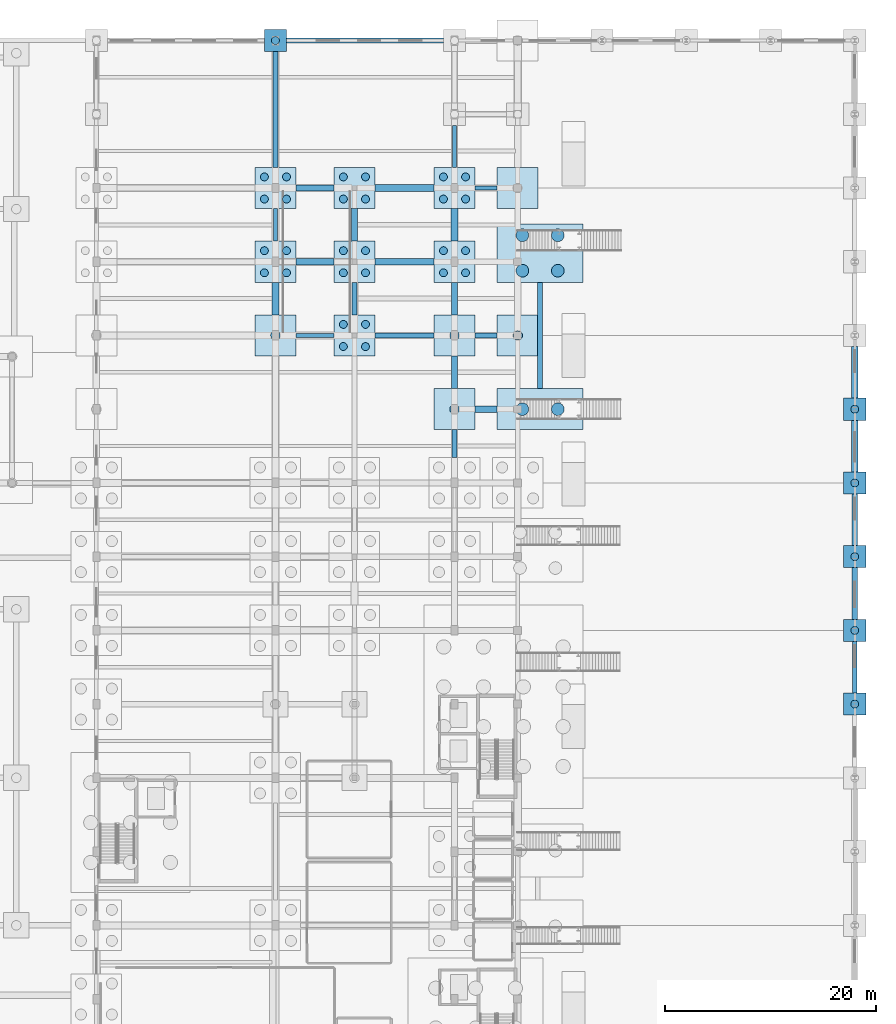
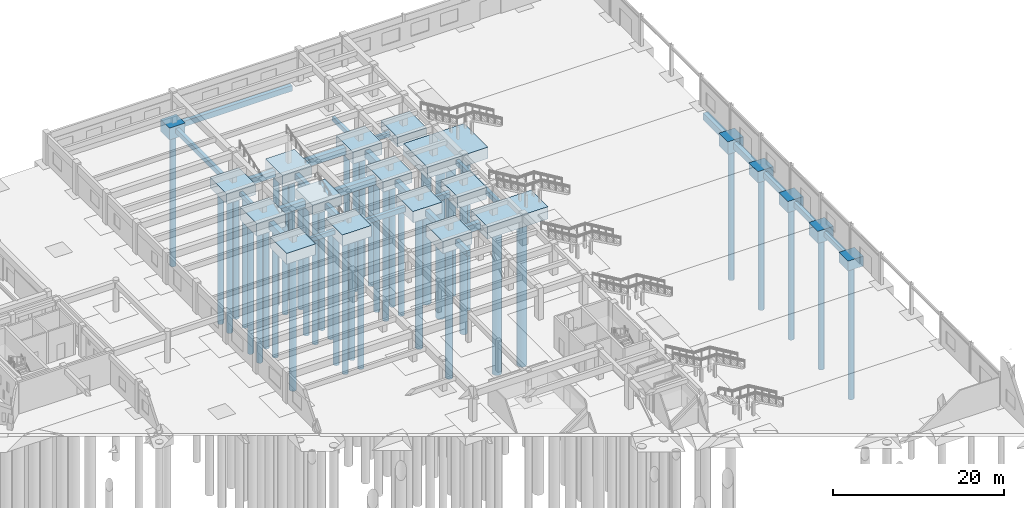
# One storey, part 11 of 84: 46 footings, 44 piles.
"""IFC4 building model written with IfcOpenShell, lengths in metres."""

from ifc_helpers import new_model, si_unit, direction, frame, origin, origin_2d, place, context, subcontext, project, spatial, rectangle, circle, extrude, material, material_profile, profile_set, type_object, element, save


model = new_model("IFC4")

# Units and contexts
model_context = context("Model", 3, precision=1e-05, world=origin(), true_north=direction((0.0, 1.0)))
body_context = subcontext(model_context, "Body", "Model", "MODEL_VIEW")
ifc_project = project(units=[si_unit("LENGTHUNIT", "METRE"), si_unit("AREAUNIT", "SQUARE_METRE"), si_unit("VOLUMEUNIT", "CUBIC_METRE"), si_unit("PLANEANGLEUNIT", "RADIAN"), si_unit("MASSUNIT", "GRAM", prefix="KILO")], contexts=[model_context])

# Site, building, storey
site_placement = place(None, origin())
site = spatial("IfcSite", under=ifc_project, at=site_placement, CompositionType="ELEMENT")
building_placement = place(site_placement, origin())
building = spatial("IfcBuilding", under=site, at=building_placement, Name="Larkveld Mobility Hub", CompositionType="ELEMENT")
storey_placement = place(building_placement, origin())
storey = spatial("IfcBuildingStorey", under=building, at=storey_placement, Name="L00", CompositionType="ELEMENT", Elevation=0.0)

# Footings
ifc_material = material(Name="Concrete C35/45", Category="concrete")
ifc_material_profile_1 = material_profile(ifc_material, rectangle(XDim=0.39990234375, YDim=0.60009765625, at=origin_2d()), Name="RC BM 400x600")
ifc_profile_set_1 = profile_set([ifc_material_profile_1], Name="Concrete C35/45")
footing_type_1 = type_object("IfcFootingType", Name="FT-FB01", PredefinedType="FOOTING_BEAM", material=ifc_profile_set_1)
footing_1_placement = place(storey_placement, frame((130.949951171875, 98.0, -0.64990234375), z_axis=(1.0, 0.0, 0.0), x_axis=(0.0, 1.0, 0.0)))
element("IfcFooting", 1, at=footing_1_placement, inside=storey, type_object=footing_type_1, Name="Ground Tie Beam GB-061", PredefinedType="FOOTING_BEAM", context=body_context, shape_type="SweptSolid", body=[
    extrude(rectangle(XDim=0.39990234375, YDim=0.60009765625, at=origin_2d()), origin(), (0.0, 0.0, 1.0), 3.60009765625),
])
footing_2_placement = place(storey_placement, frame((147.949951171875, 112.0, -0.64990234375), z_axis=(1.0, 0.0, 0.0), x_axis=(0.0, 1.0, 0.0)))
element("IfcFooting", 2, at=footing_2_placement, inside=storey, type_object=footing_type_1, Name="Ground Tie Beam GB-079", PredefinedType="FOOTING_BEAM", context=body_context, shape_type="SweptSolid", body=[
    extrude(rectangle(XDim=0.39990234375, YDim=0.60009765625, at=origin_2d()), origin(), (0.0, 0.0, 1.0), 2.10009765625),
])
footing_3_placement = place(storey_placement, frame((129.0, 106.949951171875, -0.64990234375), z_axis=(0.0, 1.0, 0.0), x_axis=(-1.0, 0.0, 0.0)))
element("IfcFooting", 3, at=footing_3_placement, inside=storey, type_object=footing_type_1, Name="Ground Tie Beam GB-163", PredefinedType="FOOTING_BEAM", context=body_context, shape_type="SweptSolid", body=[
    extrude(rectangle(XDim=0.39990234375, YDim=0.60009765625, at=origin_2d()), origin(), (0.0, 0.0, 1.0), 3.10009765625),
])
footing_4_placement = place(storey_placement, frame((146.0, 113.949951171875, -0.64990234375), z_axis=(0.0, 1.0, 0.0), x_axis=(-1.0, 0.0, 0.0)))
element("IfcFooting", 4, at=footing_4_placement, inside=storey, type_object=footing_type_1, Name="Ground Tie Beam GB-181", PredefinedType="FOOTING_BEAM", context=body_context, shape_type="SweptSolid", body=[
    extrude(rectangle(XDim=0.39990234375, YDim=0.60009765625, at=origin_2d()), origin(), (0.0, 0.0, 1.0), 4.0),
])
ifc_material_profile_2 = material_profile(ifc_material, rectangle(XDim=0.449951171875, YDim=0.699951171875, at=origin_2d()), Name="RC BM 450x700")
ifc_profile_set_2 = profile_set([ifc_material_profile_2], Name="Concrete C35/45")
footing_type_2 = type_object("IfcFootingType", Name="FT-FB02", PredefinedType="FOOTING_BEAM", material=ifc_profile_set_2)
footing_5_placement = place(storey_placement, frame((138.449951171875, 98.0, -0.699951171875), z_axis=(1.0, 0.0, 0.0), x_axis=(0.0, 1.0, 0.0)))
element("IfcFooting", 5, at=footing_5_placement, inside=storey, type_object=footing_type_2, Name="Ground Tie Beam GB-062", PredefinedType="FOOTING_BEAM", context=body_context, shape_type="SweptSolid", body=[
    extrude(rectangle(XDim=0.449951171875, YDim=0.699951171875, at=origin_2d()), origin(), (0.0, 0.0, 1.0), 5.60009765625),
])
footing_6_placement = place(storey_placement, frame((129.0, 113.949951171875, -0.699951171875), z_axis=(0.0, 1.0, 0.0), x_axis=(-1.0, 0.0, 0.0)))
element("IfcFooting", 6, at=footing_6_placement, inside=storey, type_object=footing_type_2, Name="Ground Tie Beam GB-164", PredefinedType="FOOTING_BEAM", context=body_context, shape_type="SweptSolid", body=[
    extrude(rectangle(XDim=0.449951171875, YDim=0.699951171875, at=origin_2d()), origin(), (0.0, 0.0, 1.0), 11.0),
])
footing_7_placement = place(storey_placement, frame((154.125, 92.949951171875, -0.699951171875), z_axis=(0.0, 1.0, 0.0), x_axis=(-1.0, 0.0, 0.0)))
element("IfcFooting", 7, at=footing_7_placement, inside=storey, type_object=footing_type_2, Name="Ground Tie Beam GB-188", PredefinedType="FOOTING_BEAM", context=body_context, shape_type="SweptSolid", body=[
    extrude(rectangle(XDim=0.449951171875, YDim=0.699951171875, at=origin_2d()), origin(), (0.0, 0.0, 1.0), 10.10009765625),
])
footing_8_placement = place(storey_placement, frame((184.0, 64.050048828125, -0.699951171875), z_axis=(0.0, 1.0, 0.0), x_axis=(-1.0, 0.0, 0.0)))
element("IfcFooting", 8, at=footing_8_placement, inside=storey, type_object=footing_type_2, Name="Ground Tie Beam GB-200", PredefinedType="FOOTING_BEAM", context=body_context, shape_type="SweptSolid", body=[
    extrude(rectangle(XDim=0.449951171875, YDim=0.699951171875, at=origin_2d()), origin(), (0.0, 0.0, 1.0), 4.89990234375),
])
ifc_material_profile_3 = material_profile(ifc_material, rectangle(XDim=0.5, YDim=0.800048828125, at=origin_2d()), Name="RC BM 500x800")
ifc_profile_set_3 = profile_set([ifc_material_profile_3], Name="Concrete C35/45")
footing_type_3 = type_object("IfcFootingType", Name="FT-FB03", PredefinedType="FOOTING_BEAM", material=ifc_profile_set_3)
footing_9_placement = place(storey_placement, frame((147.949951171875, 98.0, -0.75), z_axis=(1.0, 0.0, 0.0), x_axis=(0.0, 1.0, 0.0)))
element("IfcFooting", 9, at=footing_9_placement, inside=storey, type_object=footing_type_3, Name="Ground Tie Beam GB-063", PredefinedType="FOOTING_BEAM", context=body_context, shape_type="SweptSolid", body=[
    extrude(rectangle(XDim=0.5, YDim=0.800048828125, at=origin_2d()), origin(), (0.0, 0.0, 1.0), 2.10009765625),
])
footing_10_placement = place(storey_placement, frame((130.050048828125, 126.0, -0.75), z_axis=(1.0, 0.0, 0.0), x_axis=(0.0, 1.0, 0.0)))
element("IfcFooting", 10, at=footing_10_placement, inside=storey, type_object=footing_type_3, Name="Ground Tie Beam GB-093", PredefinedType="FOOTING_BEAM", context=body_context, shape_type="SweptSolid", body=[
    extrude(rectangle(XDim=0.5, YDim=0.800048828125, at=origin_2d()), origin(), (0.0, 0.0, 1.0), 14.89990234375),
])
footing_11_placement = place(storey_placement, frame((136.5, 99.949951171875, -0.75), z_axis=(0.0, 1.0, 0.0), x_axis=(-1.0, 0.0, 0.0)))
element("IfcFooting", 11, at=footing_11_placement, inside=storey, type_object=footing_type_3, Name="Ground Tie Beam GB-171", PredefinedType="FOOTING_BEAM", context=body_context, shape_type="SweptSolid", body=[
    extrude(rectangle(XDim=0.5, YDim=0.800048828125, at=origin_2d()), origin(), (0.0, 0.0, 1.0), 3.10009765625),
])
footing_12_placement = place(storey_placement, frame((146.0, 86.39990234375, -0.75), z_axis=(0.0, 1.0, 0.0), x_axis=(-1.0, 0.0, 0.0)))
element("IfcFooting", 12, at=footing_12_placement, inside=storey, type_object=footing_type_3, Name="Ground Tie Beam GB-177", PredefinedType="FOOTING_BEAM", context=body_context, shape_type="SweptSolid", body=[
    extrude(rectangle(XDim=0.5, YDim=0.800048828125, at=origin_2d()), origin(), (0.0, 0.0, 1.0), 2.650146484375),
])
footing_13_placement = place(storey_placement, frame((184.0, 71.050048828125, -0.75), z_axis=(0.0, 1.0, 0.0), x_axis=(-1.0, 0.0, 0.0)))
element("IfcFooting", 13, at=footing_13_placement, inside=storey, type_object=footing_type_3, Name="Ground Tie Beam GB-201", PredefinedType="FOOTING_BEAM", context=body_context, shape_type="SweptSolid", body=[
    extrude(rectangle(XDim=0.5, YDim=0.800048828125, at=origin_2d()), origin(), (0.0, 0.0, 1.0), 4.89990234375),
])
ifc_material_profile_4 = material_profile(ifc_material, rectangle(XDim=0.550048828125, YDim=0.85009765625, at=origin_2d()), Name="RC BM 550x850")
ifc_profile_set_4 = profile_set([ifc_material_profile_4], Name="Concrete C35/45")
footing_type_4 = type_object("IfcFootingType", Name="FT-FB04", PredefinedType="FOOTING_BEAM", material=ifc_profile_set_4)
for number, where, z_axis, x_axis, name in (
    (14, (136.5, 106.949951171875, -0.77490234375), (0.0, 1.0, 0.0), (-1.0, 0.0, 0.0), "Ground Tie Beam GB-172"),
    (15, (146.0, 92.949951171875, -0.77490234375), (0.0, 1.0, 0.0), (-1.0, 0.0, 0.0), "Ground Tie Beam GB-178"),
):
    element("IfcFooting", number, at=place(storey_placement, frame(where, z_axis=z_axis, x_axis=x_axis)), inside=storey, type_object=footing_type_4, Name=name, PredefinedType="FOOTING_BEAM", context=body_context, shape_type="SweptSolid", body=[
        extrude(rectangle(XDim=0.550048828125, YDim=0.85009765625, at=origin_2d()), origin(), (0.0, 0.0, 1.0), 3.10009765625),
    ])
footing_14_placement = place(storey_placement, frame((184.0, 78.050048828125, -0.77490234375), z_axis=(0.0, 1.0, 0.0), x_axis=(-1.0, 0.0, 0.0)))
element("IfcFooting", 16, at=footing_14_placement, inside=storey, type_object=footing_type_4, Name="Ground Tie Beam GB-202", PredefinedType="FOOTING_BEAM", context=body_context, shape_type="SweptSolid", body=[
    extrude(rectangle(XDim=0.550048828125, YDim=0.85009765625, at=origin_2d()), origin(), (0.0, 0.0, 1.0), 4.89990234375),
])
ifc_material_profile_5 = material_profile(ifc_material, rectangle(XDim=0.60009765625, YDim=0.89990234375, at=origin_2d()), Name="RC BM 600x900")
ifc_profile_set_5 = profile_set([ifc_material_profile_5], Name="Concrete C35/45")
footing_type_5 = type_object("IfcFootingType", Name="FT-FB05", PredefinedType="FOOTING_BEAM", material=ifc_profile_set_5)
for number, where, z_axis, x_axis, name in (
    (17, (130.949951171875, 105.0, -0.800048828125), (1.0, 0.0, 0.0), (0.0, 1.0, 0.0), "Ground Tie Beam GB-065"),
    (18, (130.949951171875, 112.0, -0.800048828125), (1.0, 0.0, 0.0), (0.0, 1.0, 0.0), "Ground Tie Beam GB-077"),
):
    element("IfcFooting", number, at=place(storey_placement, frame(where, z_axis=z_axis, x_axis=x_axis)), inside=storey, type_object=footing_type_5, Name=name, PredefinedType="FOOTING_BEAM", context=body_context, shape_type="SweptSolid", body=[
        extrude(rectangle(XDim=0.60009765625, YDim=0.89990234375, at=origin_2d()), origin(), (0.0, 0.0, 1.0), 3.60009765625),
    ])
footing_15_placement = place(storey_placement, frame((146.0, 99.949951171875, -0.800048828125), z_axis=(0.0, 1.0, 0.0), x_axis=(-1.0, 0.0, 0.0)))
element("IfcFooting", 19, at=footing_15_placement, inside=storey, type_object=footing_type_5, Name="Ground Tie Beam GB-179", PredefinedType="FOOTING_BEAM", context=body_context, shape_type="SweptSolid", body=[
    extrude(rectangle(XDim=0.60009765625, YDim=0.89990234375, at=origin_2d()), origin(), (0.0, 0.0, 1.0), 3.10009765625),
])
footing_16_placement = place(storey_placement, frame((184.0, 85.050048828125, -0.800048828125), z_axis=(0.0, 1.0, 0.0), x_axis=(-1.0, 0.0, 0.0)))
element("IfcFooting", 20, at=footing_16_placement, inside=storey, type_object=footing_type_5, Name="Ground Tie Beam GB-203", PredefinedType="FOOTING_BEAM", context=body_context, shape_type="SweptSolid", body=[
    extrude(rectangle(XDim=0.60009765625, YDim=0.89990234375, at=origin_2d()), origin(), (0.0, 0.0, 1.0), 4.89990234375),
])
ifc_material_profile_6 = material_profile(ifc_material, rectangle(XDim=0.64990234375, YDim=1.0, at=origin_2d()), Name="RC BM 650x1000")
ifc_profile_set_6 = profile_set([ifc_material_profile_6], Name="Concrete C35/45")
footing_type_6 = type_object("IfcFootingType", Name="FT-FB06", PredefinedType="FOOTING_BEAM", material=ifc_profile_set_6)
footing_17_placement = place(storey_placement, frame((147.949951171875, 91.0, -0.85009765625), z_axis=(1.0, 0.0, 0.0), x_axis=(0.0, 1.0, 0.0)))
element("IfcFooting", 21, at=footing_17_placement, inside=storey, type_object=footing_type_6, Name="Ground Tie Beam GB-054", PredefinedType="FOOTING_BEAM", context=body_context, shape_type="SweptSolid", body=[
    extrude(rectangle(XDim=0.64990234375, YDim=1.0, at=origin_2d()), origin(), (0.0, 0.0, 1.0), 2.10009765625),
])
for number, where, z_axis, x_axis, name in (
    (22, (138.449951171875, 105.0, -0.85009765625), (1.0, 0.0, 0.0), (0.0, 1.0, 0.0), "Ground Tie Beam GB-066"),
    (23, (138.449951171875, 112.0, -0.85009765625), (1.0, 0.0, 0.0), (0.0, 1.0, 0.0), "Ground Tie Beam GB-078"),
):
    element("IfcFooting", number, at=place(storey_placement, frame(where, z_axis=z_axis, x_axis=x_axis)), inside=storey, type_object=footing_type_6, Name=name, PredefinedType="FOOTING_BEAM", context=body_context, shape_type="SweptSolid", body=[
        extrude(rectangle(XDim=0.64990234375, YDim=1.0, at=origin_2d()), origin(), (0.0, 0.0, 1.0), 5.60009765625),
    ])
for number, where, z_axis, x_axis, name in (
    (24, (129.0, 99.949951171875, -0.85009765625), (0.0, 1.0, 0.0), (-1.0, 0.0, 0.0), "Ground Tie Beam GB-162"),
    (25, (146.0, 106.949951171875, -0.85009765625), (0.0, 1.0, 0.0), (-1.0, 0.0, 0.0), "Ground Tie Beam GB-180"),
):
    element("IfcFooting", number, at=place(storey_placement, frame(where, z_axis=z_axis, x_axis=x_axis)), inside=storey, type_object=footing_type_6, Name=name, PredefinedType="FOOTING_BEAM", context=body_context, shape_type="SweptSolid", body=[
        extrude(rectangle(XDim=0.64990234375, YDim=1.0, at=origin_2d()), origin(), (0.0, 0.0, 1.0), 3.10009765625),
    ])
footing_18_placement = place(storey_placement, frame((184.0, 92.050048828125, -0.85009765625), z_axis=(0.0, 1.0, 0.0), x_axis=(-1.0, 0.0, 0.0)))
element("IfcFooting", 26, at=footing_18_placement, inside=storey, type_object=footing_type_6, Name="Ground Tie Beam GB-204", PredefinedType="FOOTING_BEAM", context=body_context, shape_type="SweptSolid", body=[
    extrude(rectangle(XDim=0.64990234375, YDim=1.0, at=origin_2d()), origin(), (0.0, 0.0, 1.0), 4.89990234375),
])
footing_type_7 = type_object("IfcFootingType", Name="FT-PC01", PredefinedType="PILE_CAP", material=ifc_material)
footing_19_placement = place(storey_placement, frame((152.0, 112.0, -1.39990234375), z_axis=(0.0, 0.0, 1.0), x_axis=(1.0, 0.0, 0.0)))
element("IfcFooting", 27, at=footing_19_placement, inside=storey, type_object=footing_type_7, Name="Pile Cap PC-193", PredefinedType="PILE_CAP", context=body_context, shape_type="SweptSolid", body=[
    extrude(rectangle(XDim=3.89990234375, YDim=3.89990234375, at=origin_2d()), origin(), (0.0, 0.0, 1.0), 1.39990234375),
])
footing_type_8 = type_object("IfcFootingType", Name="FT-PC04", PredefinedType="PILE_CAP", material=ifc_material)
footing_20_placement = place(storey_placement, frame((129.0, 98.0, -1.5498046875), z_axis=(0.0, 0.0, 1.0), x_axis=(1.0, 0.0, 0.0)))
element("IfcFooting", 28, at=footing_20_placement, inside=storey, type_object=footing_type_8, Name="Pile Cap PC-164", PredefinedType="PILE_CAP", context=body_context, shape_type="SweptSolid", body=[
    extrude(rectangle(XDim=3.89990234375, YDim=3.89990234375, at=origin_2d()), origin(), (0.0, 0.0, 1.0), 1.550048828125),
])
footing_type_9 = type_object("IfcFootingType", Name="FT-PC05", PredefinedType="PILE_CAP", material=ifc_material)
footing_21_placement = place(storey_placement, frame((184.0, 84.0, -1.60009765625), z_axis=(0.0, 0.0, 1.0), x_axis=(1.0, 0.0, 0.0)))
element("IfcFooting", 29, at=footing_21_placement, inside=storey, type_object=footing_type_9, Name="Pile Cap PC-149", PredefinedType="PILE_CAP", context=body_context, shape_type="SweptSolid", body=[
    extrude(rectangle(XDim=2.10009765625, YDim=2.10009765625, at=origin_2d()), origin(), (0.0, 0.0, 1.0), 1.60009765625),
])
footing_22_placement = place(storey_placement, frame((136.5, 98.0, -1.60009765625), z_axis=(0.0, 0.0, 1.0), x_axis=(1.0, 0.0, 0.0)))
element("IfcFooting", 30, at=footing_22_placement, inside=storey, type_object=footing_type_9, Name="Pile Cap PC-165", PredefinedType="PILE_CAP", context=body_context, shape_type="SweptSolid", body=[
    extrude(rectangle(XDim=3.89990234375, YDim=3.89990234375, at=origin_2d()), origin(), (0.0, 0.0, 1.0), 1.60009765625),
])
footing_type_10 = type_object("IfcFootingType", Name="FT-PC06", PredefinedType="PILE_CAP", material=ifc_material)
footing_23_placement = place(storey_placement, frame((184.0, 77.0, -1.60009765625), z_axis=(0.0, 0.0, 1.0), x_axis=(1.0, 0.0, 0.0)))
element("IfcFooting", 31, at=footing_23_placement, inside=storey, type_object=footing_type_10, Name="Pile Cap PC-134", PredefinedType="PILE_CAP", context=body_context, shape_type="SweptSolid", body=[
    extrude(rectangle(XDim=2.10009765625, YDim=2.10009765625, at=origin_2d()), origin(), (0.0, 0.0, 1.0), 1.60009765625),
])
footing_24_placement = place(storey_placement, frame((146.0, 98.0, -1.60009765625), z_axis=(0.0, 0.0, 1.0), x_axis=(1.0, 0.0, 0.0)))
element("IfcFooting", 32, at=footing_24_placement, inside=storey, type_object=footing_type_10, Name="Pile Cap PC-166", PredefinedType="PILE_CAP", context=body_context, shape_type="SweptSolid", body=[
    extrude(rectangle(XDim=3.89990234375, YDim=3.89990234375, at=origin_2d()), origin(), (0.0, 0.0, 1.0), 1.60009765625),
])
footing_type_11 = type_object("IfcFootingType", Name="FT-PC07", PredefinedType="PILE_CAP", material=ifc_material)
footing_25_placement = place(storey_placement, frame((152.0, 98.0, -1.64990234375), z_axis=(0.0, 0.0, 1.0), x_axis=(1.0, 0.0, 0.0)))
element("IfcFooting", 33, at=footing_25_placement, inside=storey, type_object=footing_type_11, Name="Pile Cap PC-167", PredefinedType="PILE_CAP", context=body_context, shape_type="SweptSolid", body=[
    extrude(rectangle(XDim=3.89990234375, YDim=3.89990234375, at=origin_2d()), origin(), (0.0, 0.0, 1.0), 1.64990234375),
])
footing_type_12 = type_object("IfcFootingType", Name="FT-PC08", PredefinedType="PILE_CAP", material=ifc_material)
footing_26_placement = place(storey_placement, frame((129.0, 126.0, -1.7001953125), z_axis=(0.0, 0.0, 1.0), x_axis=(1.0, 0.0, 0.0)))
element("IfcFooting", 34, at=footing_26_placement, inside=storey, type_object=footing_type_12, Name="Pile Cap PC-216", PredefinedType="PILE_CAP", context=body_context, shape_type="SweptSolid", body=[
    extrude(rectangle(XDim=2.10009765625, YDim=2.10009765625, at=origin_2d()), origin(), (0.0, 0.0, 1.0), 1.699951171875),
])
footing_type_13 = type_object("IfcFootingType", Name="FT-PC09", PredefinedType="PILE_CAP", material=ifc_material)
footing_27_placement = place(storey_placement, frame((146.0, 91.0, -1.75), z_axis=(0.0, 0.0, 1.0), x_axis=(1.0, 0.0, 0.0)))
element("IfcFooting", 35, at=footing_27_placement, inside=storey, type_object=footing_type_13, Name="Pile Cap PC-153", PredefinedType="PILE_CAP", context=body_context, shape_type="SweptSolid", body=[
    extrude(rectangle(XDim=3.89990234375, YDim=3.89990234375, at=origin_2d()), origin(), (0.0, 0.0, 1.0), 1.75),
])
footing_type_14 = type_object("IfcFootingType", Name="FT-PC10", PredefinedType="PILE_CAP", material=ifc_material)
footing_28_placement = place(storey_placement, frame((184.0, 70.0, -1.75), z_axis=(0.0, 0.0, 1.0), x_axis=(1.0, 0.0, 0.0)))
element("IfcFooting", 36, at=footing_28_placement, inside=storey, type_object=footing_type_14, Name="Pile Cap PC-122", PredefinedType="PILE_CAP", context=body_context, shape_type="SweptSolid", body=[
    extrude(rectangle(XDim=2.10009765625, YDim=2.10009765625, at=origin_2d()), origin(), (0.0, 0.0, 1.0), 1.75),
])
footing_29_placement = place(storey_placement, frame((154.125, 91.0, -1.75), z_axis=(0.0, 0.0, 1.0), x_axis=(1.0, 0.0, 0.0)))
element("IfcFooting", 37, at=footing_29_placement, inside=storey, type_object=footing_type_14, Name="Pile Cap PC-154", PredefinedType="PILE_CAP", context=body_context, shape_type="SweptSolid", body=[
    extrude(rectangle(XDim=8.14990234375, YDim=3.89990234375, at=origin_2d()), origin(), (0.0, 0.0, 1.0), 1.75),
])
footing_type_15 = type_object("IfcFootingType", Name="FT-PC11", PredefinedType="PILE_CAP", material=ifc_material)
footing_30_placement = place(storey_placement, frame((184.0, 91.0, -1.7998046875), z_axis=(0.0, 0.0, 1.0), x_axis=(1.0, 0.0, 0.0)))
element("IfcFooting", 38, at=footing_30_placement, inside=storey, type_object=footing_type_15, Name="Pile Cap PC-155", PredefinedType="PILE_CAP", context=body_context, shape_type="SweptSolid", body=[
    extrude(rectangle(XDim=2.10009765625, YDim=2.10009765625, at=origin_2d()), origin(), (0.0, 0.0, 1.0), 1.800048828125),
])
footing_type_16 = type_object("IfcFootingType", Name="FT-PC12", PredefinedType="PILE_CAP", material=ifc_material)
footing_31_placement = place(storey_placement, frame((129.0, 105.0, -1.7998046875), z_axis=(0.0, 0.0, 1.0), x_axis=(1.0, 0.0, 0.0)))
element("IfcFooting", 39, at=footing_31_placement, inside=storey, type_object=footing_type_16, Name="Pile Cap PC-172", PredefinedType="PILE_CAP", context=body_context, shape_type="SweptSolid", body=[
    extrude(rectangle(XDim=3.89990234375, YDim=3.89990234375, at=origin_2d()), origin(), (0.0, 0.0, 1.0), 1.800048828125),
])
footing_type_17 = type_object("IfcFootingType", Name="FT-PC13", PredefinedType="PILE_CAP", material=ifc_material)
footing_32_placement = place(storey_placement, frame((184.0, 63.0, -1.419921875), z_axis=(0.0, 0.0, 1.0), x_axis=(1.0, 0.0, 0.0)))
element("IfcFooting", 40, at=footing_32_placement, inside=storey, type_object=footing_type_17, Name="Pile Cap PC-109", PredefinedType="PILE_CAP", context=body_context, shape_type="SweptSolid", body=[
    extrude(rectangle(XDim=2.10009765625, YDim=2.10009765625, at=origin_2d()), origin(), (0.0, 0.0, 1.0), 1.419921875),
])
footing_33_placement = place(storey_placement, frame((136.5, 105.0, -1.419921875), z_axis=(0.0, 0.0, 1.0), x_axis=(1.0, 0.0, 0.0)))
element("IfcFooting", 41, at=footing_33_placement, inside=storey, type_object=footing_type_17, Name="Pile Cap PC-173", PredefinedType="PILE_CAP", context=body_context, shape_type="SweptSolid", body=[
    extrude(rectangle(XDim=3.89990234375, YDim=3.89990234375, at=origin_2d()), origin(), (0.0, 0.0, 1.0), 1.419921875),
])
footing_type_18 = type_object("IfcFootingType", Name="FT-PC14", PredefinedType="PILE_CAP", material=ifc_material)
for number, where, z_axis, x_axis, name in (
    (42, (146.0, 105.0, -1.47998046875), (0.0, 0.0, 1.0), (1.0, 0.0, 0.0), "Pile Cap PC-174"),
    (43, (129.0, 112.0, -1.47998046875), (0.0, 0.0, 1.0), (1.0, 0.0, 0.0), "Pile Cap PC-190"),
):
    element("IfcFooting", number, at=place(storey_placement, frame(where, z_axis=z_axis, x_axis=x_axis)), inside=storey, type_object=footing_type_18, Name=name, PredefinedType="PILE_CAP", context=body_context, shape_type="SweptSolid", body=[
        extrude(rectangle(XDim=3.89990234375, YDim=3.89990234375, at=origin_2d()), origin(), (0.0, 0.0, 1.0), 1.47998046875),
    ])
footing_type_19 = type_object("IfcFootingType", Name="FT-PC15", PredefinedType="PILE_CAP", material=ifc_material)
footing_34_placement = place(storey_placement, frame((154.125, 105.824951171875, -1.6201171875), z_axis=(0.0, 0.0, 1.0), x_axis=(1.0, 0.0, 0.0)))
element("IfcFooting", 44, at=footing_34_placement, inside=storey, type_object=footing_type_19, Name="Pile Cap PC-175", PredefinedType="PILE_CAP", context=body_context, shape_type="SweptSolid", body=[
    extrude(rectangle(XDim=8.14990234375, YDim=5.550048828125, at=origin_2d()), origin(), (0.0, 0.0, 1.0), 1.6201171875),
])
footing_35_placement = place(storey_placement, frame((136.5, 112.0, -1.6201171875), z_axis=(0.0, 0.0, 1.0), x_axis=(1.0, 0.0, 0.0)))
element("IfcFooting", 45, at=footing_35_placement, inside=storey, type_object=footing_type_19, Name="Pile Cap PC-191", PredefinedType="PILE_CAP", context=body_context, shape_type="SweptSolid", body=[
    extrude(rectangle(XDim=3.89990234375, YDim=3.89990234375, at=origin_2d()), origin(), (0.0, 0.0, 1.0), 1.6201171875),
])
footing_type_20 = type_object("IfcFootingType", Name="FT-PC16", PredefinedType="PILE_CAP", material=ifc_material)
footing_36_placement = place(storey_placement, frame((146.0, 112.0, -1.72021484375), z_axis=(0.0, 0.0, 1.0), x_axis=(1.0, 0.0, 0.0)))
element("IfcFooting", 46, at=footing_36_placement, inside=storey, type_object=footing_type_20, Name="Pile Cap PC-192", PredefinedType="PILE_CAP", context=body_context, shape_type="SweptSolid", body=[
    extrude(rectangle(XDim=3.89990234375, YDim=3.89990234375, at=origin_2d()), origin(), (0.0, 0.0, 1.0), 1.719970703125),
])

# Piles
ifc_material_profile_7 = material_profile(ifc_material, circle(Radius=0.375, at=origin_2d()), Name="PILE D750")
ifc_profile_set_7 = profile_set([ifc_material_profile_7], Name="Concrete C35/45")
pile_type_1 = type_object("IfcPileType", Name="PL-B0750", PredefinedType="BORED", material=ifc_profile_set_7)
pile_1_placement = place(storey_placement, frame((184.0, 63.0, -1.320068359375), z_axis=(0.0, 0.0, -1.0), x_axis=(1.0, 0.0, 0.0)))
element("IfcPile", 47, at=pile_1_placement, inside=storey, type_object=pile_type_1, Name="Bored Pile P-0318", PredefinedType="BORED", context=body_context, shape_type="SweptSolid", body=[
    extrude(circle(Radius=0.375, at=origin_2d()), origin(), (0.0, 0.0, 1.0), 19.179931640625),
])
pile_2_placement = place(storey_placement, frame((184.0, 70.0, -1.64990234375), z_axis=(0.0, 0.0, -1.0), x_axis=(1.0, 0.0, 0.0)))
element("IfcPile", 48, at=pile_2_placement, inside=storey, type_object=pile_type_1, Name="Bored Pile P-0349", PredefinedType="BORED", context=body_context, shape_type="SweptSolid", body=[
    extrude(circle(Radius=0.375, at=origin_2d()), origin(), (0.0, 0.0, 1.0), 18.85009765625),
])
for number, where, z_axis, x_axis, name in (
    (49, (184.0, 77.0, -1.5), (0.0, 0.0, -1.0), (1.0, 0.0, 0.0), "Bored Pile P-0379"),
    (50, (184.0, 84.0, -1.5), (0.0, 0.0, -1.0), (1.0, 0.0, 0.0), "Bored Pile P-0439"),
):
    element("IfcPile", number, at=place(storey_placement, frame(where, z_axis=z_axis, x_axis=x_axis)), inside=storey, type_object=pile_type_1, Name=name, PredefinedType="BORED", context=body_context, shape_type="SweptSolid", body=[
        extrude(circle(Radius=0.375, at=origin_2d()), origin(), (0.0, 0.0, 1.0), 19.0),
    ])
pile_3_placement = place(storey_placement, frame((184.0, 91.0, -1.699951171875), z_axis=(0.0, 0.0, -1.0), x_axis=(1.0, 0.0, 0.0)))
element("IfcPile", 51, at=pile_3_placement, inside=storey, type_object=pile_type_1, Name="Bored Pile P-0449", PredefinedType="BORED", context=body_context, shape_type="SweptSolid", body=[
    extrude(circle(Radius=0.375, at=origin_2d()), origin(), (0.0, 0.0, 1.0), 18.800048828125),
])
for number, where, z_axis, x_axis, name in (
    (52, (135.449951171875, 96.949951171875, -1.5), (0.0, 0.0, -1.0), (1.0, 0.0, 0.0), "Bored Pile P-0473"),
    (53, (135.449951171875, 99.050048828125, -1.5), (0.0, 0.0, -1.0), (1.0, 0.0, 0.0), "Bored Pile P-0474"),
    (54, (137.550048828125, 96.949951171875, -1.5), (0.0, 0.0, -1.0), (1.0, 0.0, 0.0), "Bored Pile P-0475"),
    (55, (137.550048828125, 99.050048828125, -1.5), (0.0, 0.0, -1.0), (1.0, 0.0, 0.0), "Bored Pile P-0476"),
):
    element("IfcPile", number, at=place(storey_placement, frame(where, z_axis=z_axis, x_axis=x_axis)), inside=storey, type_object=pile_type_1, Name=name, PredefinedType="BORED", context=body_context, shape_type="SweptSolid", body=[
        extrude(circle(Radius=0.375, at=origin_2d()), origin(), (0.0, 0.0, 1.0), 19.0),
    ])
for number, where, z_axis, x_axis, name in (
    (56, (127.949951171875, 103.949951171875, -1.699951171875), (0.0, 0.0, -1.0), (1.0, 0.0, 0.0), "Bored Pile P-0486"),
    (57, (127.949951171875, 106.050048828125, -1.699951171875), (0.0, 0.0, -1.0), (1.0, 0.0, 0.0), "Bored Pile P-0487"),
    (58, (130.050048828125, 103.949951171875, -1.699951171875), (0.0, 0.0, -1.0), (1.0, 0.0, 0.0), "Bored Pile P-0488"),
    (59, (130.050048828125, 106.050048828125, -1.699951171875), (0.0, 0.0, -1.0), (1.0, 0.0, 0.0), "Bored Pile P-0489"),
):
    element("IfcPile", number, at=place(storey_placement, frame(where, z_axis=z_axis, x_axis=x_axis)), inside=storey, type_object=pile_type_1, Name=name, PredefinedType="BORED", context=body_context, shape_type="SweptSolid", body=[
        extrude(circle(Radius=0.375, at=origin_2d()), origin(), (0.0, 0.0, 1.0), 18.800048828125),
    ])
for number, where, z_axis, x_axis, name in (
    (60, (135.449951171875, 103.949951171875, -1.320068359375), (0.0, 0.0, -1.0), (1.0, 0.0, 0.0), "Bored Pile P-0490"),
    (61, (135.449951171875, 106.050048828125, -1.320068359375), (0.0, 0.0, -1.0), (1.0, 0.0, 0.0), "Bored Pile P-0491"),
    (62, (137.550048828125, 103.949951171875, -1.320068359375), (0.0, 0.0, -1.0), (1.0, 0.0, 0.0), "Bored Pile P-0492"),
    (63, (137.550048828125, 106.050048828125, -1.320068359375), (0.0, 0.0, -1.0), (1.0, 0.0, 0.0), "Bored Pile P-0493"),
):
    element("IfcPile", number, at=place(storey_placement, frame(where, z_axis=z_axis, x_axis=x_axis)), inside=storey, type_object=pile_type_1, Name=name, PredefinedType="BORED", context=body_context, shape_type="SweptSolid", body=[
        extrude(circle(Radius=0.375, at=origin_2d()), origin(), (0.0, 0.0, 1.0), 19.179931640625),
    ])
for number, where, z_axis, x_axis, name in (
    (64, (144.949951171875, 103.949951171875, -1.3798828125), (0.0, 0.0, -1.0), (1.0, 0.0, 0.0), "Bored Pile P-0494"),
    (65, (144.949951171875, 106.050048828125, -1.3798828125), (0.0, 0.0, -1.0), (1.0, 0.0, 0.0), "Bored Pile P-0495"),
    (66, (147.050048828125, 103.949951171875, -1.3798828125), (0.0, 0.0, -1.0), (1.0, 0.0, 0.0), "Bored Pile P-0496"),
    (67, (147.050048828125, 106.050048828125, -1.3798828125), (0.0, 0.0, -1.0), (1.0, 0.0, 0.0), "Bored Pile P-0497"),
    (68, (127.949951171875, 110.949951171875, -1.3798828125), (0.0, 0.0, -1.0), (1.0, 0.0, 0.0), "Bored Pile P-0536"),
    (69, (127.949951171875, 113.050048828125, -1.3798828125), (0.0, 0.0, -1.0), (1.0, 0.0, 0.0), "Bored Pile P-0537"),
    (70, (130.050048828125, 110.949951171875, -1.3798828125), (0.0, 0.0, -1.0), (1.0, 0.0, 0.0), "Bored Pile P-0538"),
    (71, (130.050048828125, 113.050048828125, -1.3798828125), (0.0, 0.0, -1.0), (1.0, 0.0, 0.0), "Bored Pile P-0539"),
):
    element("IfcPile", number, at=place(storey_placement, frame(where, z_axis=z_axis, x_axis=x_axis)), inside=storey, type_object=pile_type_1, Name=name, PredefinedType="BORED", context=body_context, shape_type="SweptSolid", body=[
        extrude(circle(Radius=0.375, at=origin_2d()), origin(), (0.0, 0.0, 1.0), 19.1201171875),
    ])
for number, where, z_axis, x_axis, name in (
    (72, (135.449951171875, 110.949951171875, -1.52001953125), (0.0, 0.0, -1.0), (1.0, 0.0, 0.0), "Bored Pile P-0540"),
    (73, (135.449951171875, 113.050048828125, -1.52001953125), (0.0, 0.0, -1.0), (1.0, 0.0, 0.0), "Bored Pile P-0541"),
    (74, (137.550048828125, 110.949951171875, -1.52001953125), (0.0, 0.0, -1.0), (1.0, 0.0, 0.0), "Bored Pile P-0542"),
    (75, (137.550048828125, 113.050048828125, -1.52001953125), (0.0, 0.0, -1.0), (1.0, 0.0, 0.0), "Bored Pile P-0543"),
):
    element("IfcPile", number, at=place(storey_placement, frame(where, z_axis=z_axis, x_axis=x_axis)), inside=storey, type_object=pile_type_1, Name=name, PredefinedType="BORED", context=body_context, shape_type="SweptSolid", body=[
        extrude(circle(Radius=0.375, at=origin_2d()), origin(), (0.0, 0.0, 1.0), 18.97998046875),
    ])
for number, where, z_axis, x_axis, name in (
    (76, (144.949951171875, 110.949951171875, -1.6201171875), (0.0, 0.0, -1.0), (1.0, 0.0, 0.0), "Bored Pile P-0544"),
    (77, (144.949951171875, 113.050048828125, -1.6201171875), (0.0, 0.0, -1.0), (1.0, 0.0, 0.0), "Bored Pile P-0545"),
    (78, (147.050048828125, 110.949951171875, -1.6201171875), (0.0, 0.0, -1.0), (1.0, 0.0, 0.0), "Bored Pile P-0546"),
    (79, (147.050048828125, 113.050048828125, -1.6201171875), (0.0, 0.0, -1.0), (1.0, 0.0, 0.0), "Bored Pile P-0547"),
):
    element("IfcPile", number, at=place(storey_placement, frame(where, z_axis=z_axis, x_axis=x_axis)), inside=storey, type_object=pile_type_1, Name=name, PredefinedType="BORED", context=body_context, shape_type="SweptSolid", body=[
        extrude(circle(Radius=0.375, at=origin_2d()), origin(), (0.0, 0.0, 1.0), 18.8798828125),
    ])
pile_4_placement = place(storey_placement, frame((129.0, 126.0, -1.60009765625), z_axis=(0.0, 0.0, -1.0), x_axis=(1.0, 0.0, 0.0)))
element("IfcPile", 80, at=pile_4_placement, inside=storey, type_object=pile_type_1, Name="Bored Pile P-0584", PredefinedType="BORED", context=body_context, shape_type="SweptSolid", body=[
    extrude(circle(Radius=0.375, at=origin_2d()), origin(), (0.0, 0.0, 1.0), 18.89990234375),
])
ifc_material_profile_8 = material_profile(ifc_material, circle(Radius=0.449951171875, at=origin_2d()), Name="PILE D900")
ifc_profile_set_8 = profile_set([ifc_material_profile_8], Name="Concrete C35/45")
pile_type_2 = type_object("IfcPileType", Name="PL-B0900", PredefinedType="BORED", material=ifc_profile_set_8)
pile_5_placement = place(storey_placement, frame((146.0, 91.0, -1.64990234375), z_axis=(0.0, 0.0, -1.0), x_axis=(1.0, 0.0, 0.0)))
element("IfcPile", 81, at=pile_5_placement, inside=storey, type_object=pile_type_2, Name="Bored Pile P-0446", PredefinedType="BORED", context=body_context, shape_type="SweptSolid", body=[
    extrude(circle(Radius=0.449951171875, at=origin_2d()), origin(), (0.0, 0.0, 1.0), 19.550048828125),
])
pile_6_placement = place(storey_placement, frame((129.0, 98.0, -1.449951171875), z_axis=(0.0, 0.0, -1.0), x_axis=(1.0, 0.0, 0.0)))
element("IfcPile", 82, at=pile_6_placement, inside=storey, type_object=pile_type_2, Name="Bored Pile P-0472", PredefinedType="BORED", context=body_context, shape_type="SweptSolid", body=[
    extrude(circle(Radius=0.449951171875, at=origin_2d()), origin(), (0.0, 0.0, 1.0), 19.75),
])
pile_7_placement = place(storey_placement, frame((146.0, 98.0, -1.5), z_axis=(0.0, 0.0, -1.0), x_axis=(1.0, 0.0, 0.0)))
element("IfcPile", 83, at=pile_7_placement, inside=storey, type_object=pile_type_2, Name="Bored Pile P-0477", PredefinedType="BORED", context=body_context, shape_type="SweptSolid", body=[
    extrude(circle(Radius=0.449951171875, at=origin_2d()), origin(), (0.0, 0.0, 1.0), 19.699951171875),
])
pile_8_placement = place(storey_placement, frame((152.0, 98.0, -1.550048828125), z_axis=(0.0, 0.0, -1.0), x_axis=(1.0, 0.0, 0.0)))
element("IfcPile", 84, at=pile_8_placement, inside=storey, type_object=pile_type_2, Name="Bored Pile P-0478", PredefinedType="BORED", context=body_context, shape_type="SweptSolid", body=[
    extrude(circle(Radius=0.449951171875, at=origin_2d()), origin(), (0.0, 0.0, 1.0), 19.64990234375),
])
ifc_material_profile_9 = material_profile(ifc_material, circle(Radius=0.60009765625, at=origin_2d()), Name="PILE D1200")
ifc_profile_set_9 = profile_set([ifc_material_profile_9], Name="Concrete C35/45")
pile_type_3 = type_object("IfcPileType", Name="PL-B1200", PredefinedType="BORED", material=ifc_profile_set_9)
for number, where, z_axis, x_axis, name in (
    (85, (152.445068359375, 91.0, -1.64990234375), (0.0, 0.0, -1.0), (1.0, 0.0, 0.0), "Bored Pile P-0447"),
    (86, (155.804931640625, 91.0, -1.64990234375), (0.0, 0.0, -1.0), (1.0, 0.0, 0.0), "Bored Pile P-0448"),
):
    element("IfcPile", number, at=place(storey_placement, frame(where, z_axis=z_axis, x_axis=x_axis)), inside=storey, type_object=pile_type_3, Name=name, PredefinedType="BORED", context=body_context, shape_type="SweptSolid", body=[
        extrude(circle(Radius=0.60009765625, at=origin_2d()), origin(), (0.0, 0.0, 1.0), 21.14990234375),
    ])
for number, where, z_axis, x_axis, name in (
    (87, (152.445068359375, 104.14501953125, -1.52001953125), (0.0, 0.0, -1.0), (1.0, 0.0, 0.0), "Bored Pile P-0498"),
    (88, (152.445068359375, 107.5048828125, -1.52001953125), (0.0, 0.0, -1.0), (1.0, 0.0, 0.0), "Bored Pile P-0499"),
    (89, (155.804931640625, 104.14501953125, -1.52001953125), (0.0, 0.0, -1.0), (1.0, 0.0, 0.0), "Bored Pile P-0500"),
    (90, (155.804931640625, 107.5048828125, -1.52001953125), (0.0, 0.0, -1.0), (1.0, 0.0, 0.0), "Bored Pile P-0501"),
):
    element("IfcPile", number, at=place(storey_placement, frame(where, z_axis=z_axis, x_axis=x_axis)), inside=storey, type_object=pile_type_3, Name=name, PredefinedType="BORED", context=body_context, shape_type="SweptSolid", body=[
        extrude(circle(Radius=0.60009765625, at=origin_2d()), origin(), (0.0, 0.0, 1.0), 21.280029296875),
    ])

save(model, "model.ifc")
